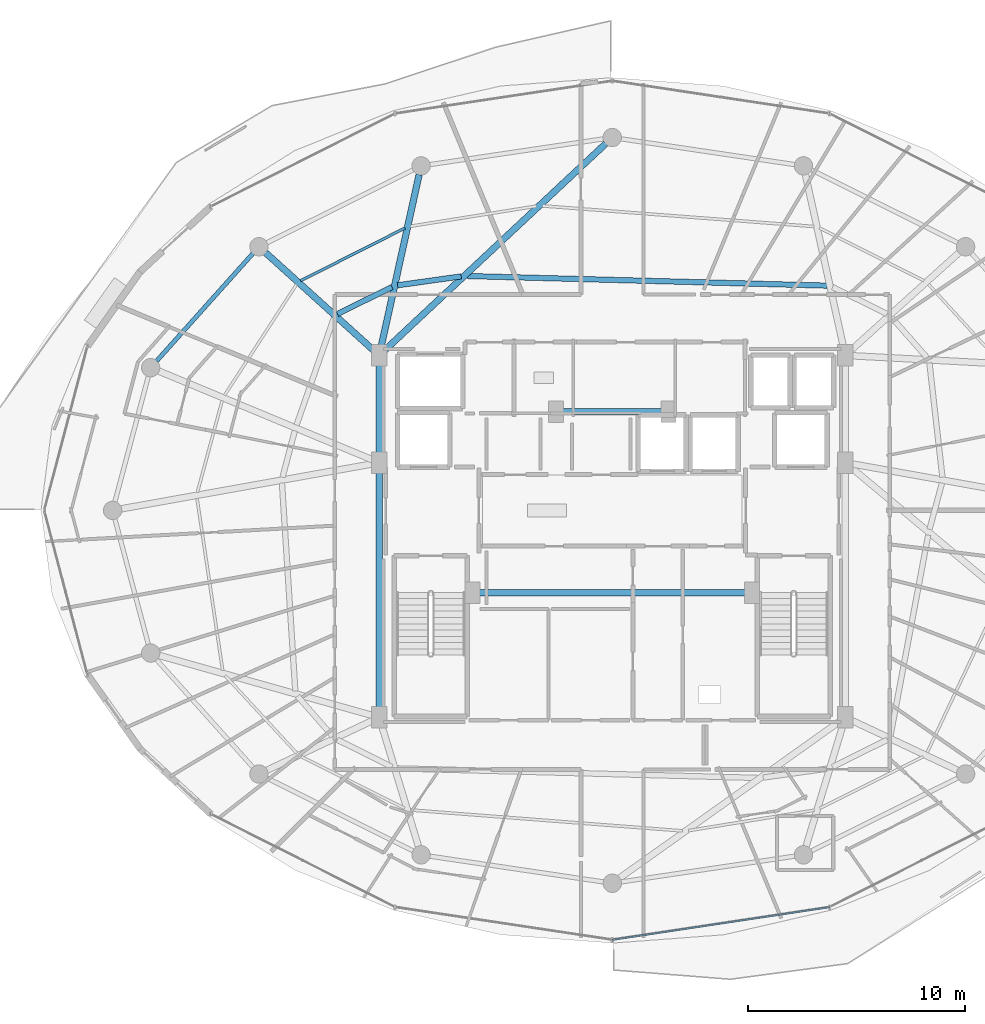
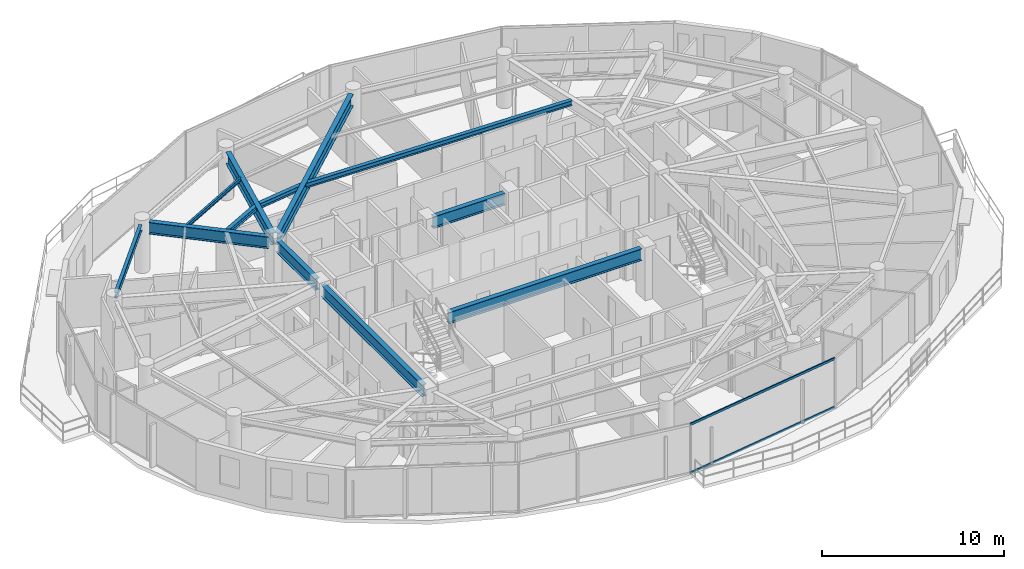
# One storey, part 9 of 29: 12 beams, 2 members, 1 element without a shape of its own.
"""IFC4 building model written with IfcOpenShell, lengths in metres."""

from ifc_helpers import new_model, si_unit, direction, frame, origin, origin_2d, place, context, subcontext, project, spatial, hollow_rectangle, i_section, extrude, material, material_profile, profile_set, type_object, element, aggregate, save


model = new_model("IFC4")

# Units and contexts
model_context = context("Model", 3, precision=1e-05, world=origin(), true_north=direction((0.0, 1.0)))
body_context = subcontext(model_context, "Body", "Model", "MODEL_VIEW")
ifc_project = project(units=[si_unit("LENGTHUNIT", "METRE"), si_unit("AREAUNIT", "SQUARE_METRE"), si_unit("VOLUMEUNIT", "CUBIC_METRE"), si_unit("PLANEANGLEUNIT", "RADIAN"), si_unit("MASSUNIT", "GRAM", prefix="KILO")], contexts=[model_context])

# Site, building, storey
site_placement = place(None, origin())
site = spatial("IfcSite", under=ifc_project, at=site_placement, CompositionType="ELEMENT")
building_placement = place(site_placement, origin())
building = spatial("IfcBuilding", under=site, at=building_placement, Name="Vorneva Point Tower", CompositionType="ELEMENT")
storey_placement = place(building_placement, frame((0.0, 0.0, 259.10009765625)))
storey = spatial("IfcBuildingStorey", under=building, at=storey_placement, Name="L70", CompositionType="ELEMENT", Elevation=259.10009765625)

# Beams
ifc_material_1 = material(Name="Steel S355", Category="steel")
ifc_material_profile_1 = material_profile(ifc_material_1, i_section(OverallWidth=0.300048828125, OverallDepth=0.7880859375, WebThickness=0.014404296875, FlangeThickness=0.02197265625, at=origin_2d()), Name="80Sh1")
ifc_profile_set_1 = profile_set([ifc_material_profile_1], Name="Steel S355")
beam_type_1 = type_object("IfcBeamType", Name="BM-GRD-80Sh1", PredefinedType="USERDEFINED", material=ifc_profile_set_1)
beam_1_placement = place(storey_placement, frame((37.6982421875, 42.91796875, 2.89599609375), z_axis=(-0.730485790946, -0.682927894602, 0.0), x_axis=(0.682927894602, -0.730485790946, 0.0)))
element("IfcBeam", 1, at=beam_1_placement, inside=storey, type_object=beam_type_1, Name="L70 Radial Primary Girder 05", ObjectType="GIRDER", PredefinedType="USERDEFINED", context=body_context, shape_type="SweptSolid", body=[
    extrude(i_section(OverallWidth=0.300048828125, OverallDepth=0.7880859375, WebThickness=0.014404296875, FlangeThickness=0.02197265625, at=origin_2d()), origin(), (0.0, 0.0, 1.0), 13.963134765625),
])
beam_2_placement = place(storey_placement, frame((29.090087890625, 41.4873046875, 2.89599609375), z_axis=(-0.215520742957, -0.976499262342, 0.0), x_axis=(0.976499262342, -0.215520742957, 0.0)))
element("IfcBeam", 2, at=beam_2_placement, inside=storey, type_object=beam_type_1, Name="L70 Radial Primary Girder 06", ObjectType="GIRDER", PredefinedType="USERDEFINED", context=body_context, shape_type="SweptSolid", body=[
    extrude(i_section(OverallWidth=0.300048828125, OverallDepth=0.7880859375, WebThickness=0.014404296875, FlangeThickness=0.02197265625, at=origin_2d()), origin(), (0.0, 0.0, 1.0), 8.197998046875),
])
beam_3_placement = place(storey_placement, frame((22.0078125, 37.885498046875, 2.89599609375), z_axis=(0.7420671051, -0.670325601128, 0.0), x_axis=(0.670325601128, 0.7420671051, 0.0)))
element("IfcBeam", 3, at=beam_3_placement, inside=storey, type_object=beam_type_1, Name="L70 Radial Primary Girder 07", ObjectType="GIRDER", PredefinedType="USERDEFINED", context=body_context, shape_type="SweptSolid", body=[
    extrude(i_section(OverallWidth=0.300048828125, OverallDepth=0.7880859375, WebThickness=0.014404296875, FlangeThickness=0.02197265625, at=origin_2d()), origin(), (0.0, 0.0, 1.0), 6.724365234375),
])
beam_4_placement = place(storey_placement, frame((27.25, 16.77001953125, 2.89599609375), z_axis=(0.0, 1.0, 0.0), x_axis=(-1.0, 0.0, 0.0)))
element("IfcBeam", 4, at=beam_4_placement, inside=storey, type_object=beam_type_1, Name="L70 Core Tie Girder CT1", ObjectType="GIRDER", PredefinedType="USERDEFINED", context=body_context, shape_type="SweptSolid", body=[
    extrude(i_section(OverallWidth=0.300048828125, OverallDepth=0.7880859375, WebThickness=0.014404296875, FlangeThickness=0.02197265625, at=origin_2d()), origin(), (0.0, 0.0, 1.0), 11.10986328125),
])
beam_5_placement = place(storey_placement, frame((27.25, 28.52001953125, 2.89599609375), z_axis=(0.0, 1.0, 0.0), x_axis=(-1.0, 0.0, 0.0)))
element("IfcBeam", 5, at=beam_5_placement, inside=storey, type_object=beam_type_1, Name="L70 Core Tie Girder CT2", ObjectType="GIRDER", PredefinedType="USERDEFINED", context=body_context, shape_type="SweptSolid", body=[
    extrude(i_section(OverallWidth=0.300048828125, OverallDepth=0.7880859375, WebThickness=0.014404296875, FlangeThickness=0.02197265625, at=origin_2d()), origin(), (0.0, 0.0, 1.0), 4.31005859375),
])
beam_6_placement = place(storey_placement, frame((35.719970703125, 30.550048828125, 2.89599609375), z_axis=(1.0, 0.0, 0.0), x_axis=(0.0, 1.0, 0.0)))
element("IfcBeam", 6, at=beam_6_placement, inside=storey, type_object=beam_type_1, Name="L70 Core Tie Girder CT8", ObjectType="GIRDER", PredefinedType="USERDEFINED", context=body_context, shape_type="SweptSolid", body=[
    extrude(i_section(OverallWidth=0.300048828125, OverallDepth=0.7880859375, WebThickness=0.014404296875, FlangeThickness=0.02197265625, at=origin_2d()), origin(), (0.0, 0.0, 1.0), 4.56005859375),
])
beam_7_placement = place(storey_placement, frame((31.8701171875, 22.199951171875, 2.89599609375), z_axis=(1.0, 0.0, 0.0), x_axis=(0.0, 1.0, 0.0)))
element("IfcBeam", 7, at=beam_7_placement, inside=storey, type_object=beam_type_1, Name="L70 Core Tie Girder CT7", ObjectType="GIRDER", PredefinedType="USERDEFINED", context=body_context, shape_type="SweptSolid", body=[
    extrude(i_section(OverallWidth=0.300048828125, OverallDepth=0.7880859375, WebThickness=0.014404296875, FlangeThickness=0.02197265625, at=origin_2d()), origin(), (0.0, 0.0, 1.0), 12.259765625),
])
ifc_material_profile_2 = material_profile(ifc_material_1, i_section(OverallWidth=0.1240234375, OverallDepth=0.248046875, WebThickness=0.0048828125, FlangeThickness=0.008056640625, at=origin_2d()), Name="25B1")
ifc_profile_set_2 = profile_set([ifc_material_profile_2], Name="Steel S355")
beam_type_2 = type_object("IfcBeamType", Name="BM-JST-25B1", PredefinedType="JOIST", material=ifc_profile_set_2)
beam_8_placement = place(storey_placement, frame((28.43701171875, 39.023681640625, 3.166015625), z_axis=(-0.892661963026, -0.450726768416, 0.0), x_axis=(0.450726768416, -0.892661963026, 0.0)))
element("IfcBeam", 8, at=beam_8_placement, inside=storey, type_object=beam_type_2, Name="L70 Secondary Floor Beam 1.06", PredefinedType="JOIST", context=body_context, shape_type="SweptSolid", body=[
    extrude(i_section(OverallWidth=0.1240234375, OverallDepth=0.248046875, WebThickness=0.0048828125, FlangeThickness=0.008056640625, at=origin_2d()), origin(), (0.0, 0.0, 1.0), 5.387451171875),
])
ifc_material_profile_3 = material_profile(ifc_material_1, i_section(OverallWidth=0.2490234375, OverallDepth=0.333984375, WebThickness=0.008056640625, FlangeThickness=0.010986328125, at=origin_2d()), Name="35Sh1")
ifc_profile_set_3 = profile_set([ifc_material_profile_3], Name="Steel S355")
beam_type_3 = type_object("IfcBeamType", Name="BM-SEC-35Sh1", PredefinedType="BEAM", material=ifc_profile_set_3)
beam_9_placement = place(storey_placement, frame((47.902587890625, 36.36767578125, 3.122802734375), z_axis=(-0.99964288127, 0.026722835299, 0.0), x_axis=(-0.026722835299, -0.99964288127, 0.0)))
element("IfcBeam", 9, at=beam_9_placement, inside=storey, type_object=beam_type_3, Name="L70 Secondary Floor Beam 2.04", PredefinedType="BEAM", context=body_context, shape_type="SweptSolid", body=[
    extrude(i_section(OverallWidth=0.2490234375, OverallDepth=0.333984375, WebThickness=0.008056640625, FlangeThickness=0.010986328125, at=origin_2d()), origin(), (0.0, 0.0, 1.0), 16.60009765625),
])
beam_10_placement = place(storey_placement, frame((31.03369140625, 36.7958984375, 3.122802734375), z_axis=(-0.990269518914, -0.139162782056, 0.0), x_axis=(0.139162782056, -0.990269518914, 0.0)))
element("IfcBeam", 10, at=beam_10_placement, inside=storey, type_object=beam_type_3, Name="L70 Secondary Floor Beam 2.05", PredefinedType="BEAM", context=body_context, shape_type="SweptSolid", body=[
    extrude(i_section(OverallWidth=0.2490234375, OverallDepth=0.333984375, WebThickness=0.008056640625, FlangeThickness=0.010986328125, at=origin_2d()), origin(), (0.0, 0.0, 1.0), 2.966552734375),
])
beam_11_placement = place(storey_placement, frame((27.835693359375, 36.302734375, 3.122802734375), z_axis=(-0.896474982162, -0.443094353786, 0.0), x_axis=(0.443094353786, -0.896474982162, 0.0)))
element("IfcBeam", 11, at=beam_11_placement, inside=storey, type_object=beam_type_3, Name="L70 Secondary Floor Beam 2.06", PredefinedType="BEAM", context=body_context, shape_type="SweptSolid", body=[
    extrude(i_section(OverallWidth=0.2490234375, OverallDepth=0.333984375, WebThickness=0.008056640625, FlangeThickness=0.010986328125, at=origin_2d()), origin(), (0.0, 0.0, 1.0), 2.80078125),
])
ifc_material_profile_4 = material_profile(ifc_material_1, i_section(OverallWidth=0.198974609375, OverallDepth=0.39599609375, WebThickness=0.007080078125, FlangeThickness=0.010986328125, at=origin_2d()), Name="40B1")
ifc_profile_set_4 = profile_set([ifc_material_profile_4], Name="Steel S355")
beam_type_4 = type_object("IfcBeamType", Name="BM-SPN-40B1", PredefinedType="SPANDREL", material=ifc_profile_set_4)
beam_12_placement = place(storey_placement, frame((21.427734375, 37.856689453125, 3.091796875), z_axis=(-0.667108282638, -0.744960763554, 0.0), x_axis=(0.744960763554, -0.667108282638, 0.0)))
element("IfcBeam", 12, at=beam_12_placement, inside=storey, type_object=beam_type_4, Name="L70 Perimeter Spandrel Ring Beam 07", PredefinedType="SPANDREL", context=body_context, shape_type="SweptSolid", body=[
    extrude(i_section(OverallWidth=0.198974609375, OverallDepth=0.39599609375, WebThickness=0.007080078125, FlangeThickness=0.010986328125, at=origin_2d()), origin(), (0.0, 0.0, 1.0), 6.670166015625),
])

# Curtain wall, members
ifc_material_2 = material(Name="Pale anodised aluminium", Category="aluminium")
curtain_wall_type = type_object("IfcCurtainWallType", Name="CW-RES-SYS", PredefinedType="NOTDEFINED", material=ifc_material_2)
curtain_wall_placement = place(storey_placement, origin())
curtain_wall = element("IfcCurtainWall", 13, at=curtain_wall_placement, inside=storey, type_object=curtain_wall_type, Name="L70 Unitised Curtain Wall CW-L70-R04", PredefinedType="NOTDEFINED")
ifc_material_profile_5 = material_profile(ifc_material_2, hollow_rectangle(XDim=0.074951171875, YDim=0.14990234375, WallThickness=0.00390625, at=origin_2d()), Name="AL-TRN 150x75x4")
ifc_profile_set_5 = profile_set([ifc_material_profile_5], Name="Pale anodised aluminium")
member_type = type_object("IfcMemberType", Name="CW-TRN-150", PredefinedType="USERDEFINED", material=ifc_profile_set_5)
member_1_placement = place(storey_placement, frame((38.0, 6.18994140625, 0.02001953125), z_axis=(0.988876929856, 0.148736066907, 0.0), x_axis=(-0.148736066907, 0.988876929856, 0.0)))
member_1 = element("IfcMember", 14, at=member_1_placement, type_object=member_type, Name="CW-L70-R04 Transom 03.1", ObjectType="TRANSOM", PredefinedType="USERDEFINED", context=body_context, shape_type="SweptSolid", body=[
    extrude(hollow_rectangle(XDim=0.074951171875, YDim=0.14990234375, WallThickness=0.00390625, at=origin_2d()), origin(), (0.0, 0.0, 1.0), 10.13916015625),
])
member_2_placement = place(storey_placement, frame((38.0, 6.18994140625, 3.27001953125), z_axis=(0.988876929856, 0.148736066907, 0.0), x_axis=(-0.148736066907, 0.988876929856, 0.0)))
member_2 = element("IfcMember", 15, at=member_2_placement, type_object=member_type, Name="CW-L70-R04 Transom 03.2", ObjectType="TRANSOM", PredefinedType="USERDEFINED", context=body_context, shape_type="SweptSolid", body=[
    extrude(hollow_rectangle(XDim=0.074951171875, YDim=0.14990234375, WallThickness=0.00390625, at=origin_2d()), origin(), (0.0, 0.0, 1.0), 10.13916015625),
])
aggregate(curtain_wall, [member_1, member_2])

save(model, "model.ifc")
